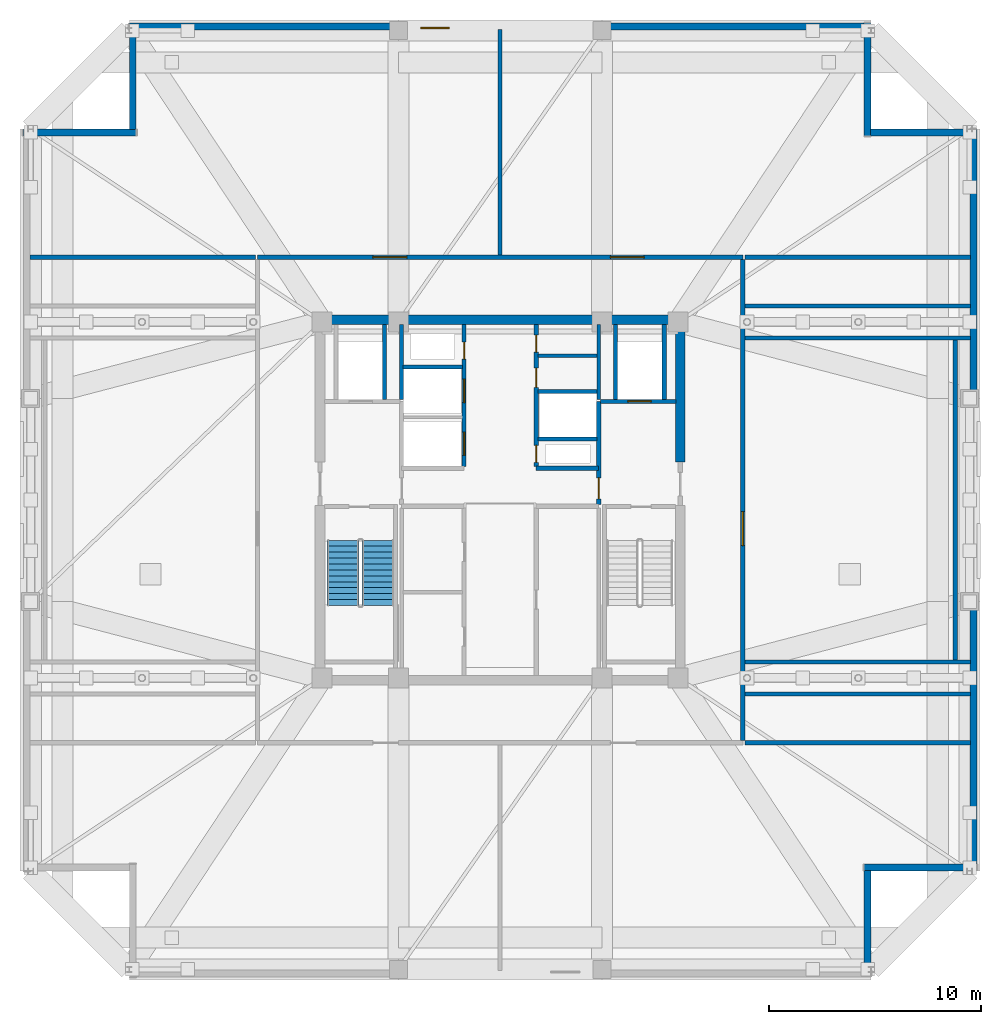
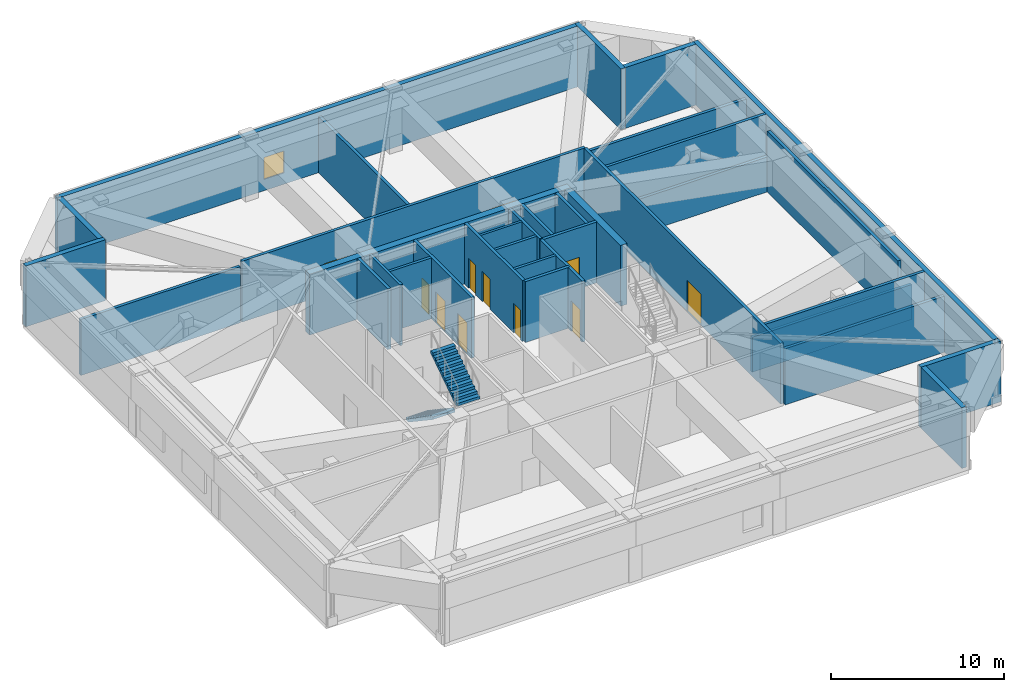
# One storey, part 11 of 17: 35 walls, 11 doors, 2 stair flights, 1 window, 12 openings, 1 element without a shape of its own.
"""IFC4 building model written with IfcOpenShell, lengths in metres."""

from ifc_helpers import new_model, si_unit, direction, frame, frame_2d, origin, place, context, subcontext, project, spatial, polyline, rectangle, outline, extrude, material, layer, layer_set, type_object, element, fill, aggregate, save


model = new_model("IFC4")

# Units and contexts
model_context = context("Model", 3, precision=1e-05, world=origin(), true_north=direction((0.0, 1.0)))
body_context = subcontext(model_context, "Body", "Model", "MODEL_VIEW")
ifc_project = project(units=[si_unit("LENGTHUNIT", "METRE"), si_unit("AREAUNIT", "SQUARE_METRE"), si_unit("VOLUMEUNIT", "CUBIC_METRE"), si_unit("PLANEANGLEUNIT", "RADIAN"), si_unit("MASSUNIT", "GRAM", prefix="KILO")], contexts=[model_context])

# Site, building, storey
site_placement = place(None, origin())
site = spatial("IfcSite", under=ifc_project, at=site_placement, CompositionType="ELEMENT")
building_placement = place(site_placement, origin())
building = spatial("IfcBuilding", under=site, at=building_placement, Name="Cairnveth Concourse Tower", CompositionType="ELEMENT")
storey_placement = place(building_placement, frame((0.0, 0.0, 276.0)))
storey = spatial("IfcBuildingStorey", under=building, at=storey_placement, Name="L76", CompositionType="ELEMENT", Elevation=276.0)

# Walls
ifc_material_1 = material(Name="Gypsum Plasterboard Partition", Category="gypsum")
ifc_layer_1 = layer(ifc_material_1, 0.159912109375)
ifc_layer_set_1 = layer_set([ifc_layer_1], Name="Gypsum Plasterboard Partition")
wall_type_1 = type_object("IfcWallType", Name="ACOUSTIC PARTY WALL 180", PredefinedType="PARTITIONING", material=ifc_layer_set_1)
wall_1_placement = place(storey_placement, frame((53.784912109375, 45.800048828125, 0.0), z_axis=(0.0, 0.0, 1.0), x_axis=(1.0, 0.0, 0.0)))
element("IfcWall", 1, at=wall_1_placement, inside=storey, type_object=wall_type_1, Name="Interior Wall IW-L76-034", PredefinedType="PARTITIONING", context=body_context, shape_type="SweptSolid", body=[
    extrude(rectangle(XDim=2.7900390625, YDim=0.159912109375, at=frame_2d((1.39501953125, 0.0))), origin(), (0.0, 0.0, 1.0), 4.2900390625),
])
ifc_material_2 = material(Name="Concrete N65 (65 MPa)", Category="concrete")
ifc_layer_2 = layer(ifc_material_2, 0.449951171875)
ifc_layer_set_2 = layer_set([ifc_layer_2], Name="Concrete N65 (65 MPa)")
wall_type_2 = type_object("IfcWallType", Name="CORE SHEAR WALL 450", PredefinedType="SHEAR", material=ifc_layer_set_2)
wall_2_placement = place(storey_placement, frame((43.27490234375, 47.5, 0.0), z_axis=(0.0, 0.0, 1.0), x_axis=(1.0, 0.0, 0.0)))
element("IfcWall", 2, at=wall_2_placement, inside=storey, type_object=wall_type_2, Name="Core North Shear Wall L76", PredefinedType="SHEAR", context=body_context, shape_type="SweptSolid", body=[
    extrude(rectangle(XDim=17.4501953125, YDim=0.449951171875, at=frame_2d((8.72509765625, 0.0))), origin(), (0.0, 0.0, 1.0), 4.2900390625),
])
wall_3_placement = place(storey_placement, frame((60.5, 40.800048828125, 0.0), z_axis=(0.0, 0.0, 1.0), x_axis=(0.0, 1.0, 0.0)))
element("IfcWall", 3, at=wall_3_placement, inside=storey, type_object=wall_type_2, Name="Core East Shear Wall N L76", PredefinedType="SHEAR", context=body_context, shape_type="SweptSolid", body=[
    extrude(rectangle(XDim=6.48486328125, YDim=0.449951171875, at=frame_2d((3.242431640625, 0.0))), origin(), (0.0, 0.0, 1.0), 4.2900390625),
])
ifc_material_3 = material(Name="Concrete N50 (50 MPa)", Category="concrete")
ifc_layer_3 = layer(ifc_material_3, 0.179931640625)
ifc_layer_set_3 = layer_set([ifc_layer_3], Name="Concrete N50 (50 MPa)")
wall_type_3 = type_object("IfcWallType", Name="FIRE SHAFT WALL 180", PredefinedType="SOLIDWALL", material=ifc_layer_set_3)
wall_4_placement = place(storey_placement, frame((47.35009765625, 43.735107421875, 0.0), z_axis=(0.0, 0.0, 1.0), x_axis=(0.0, 1.0, 0.0)))
element("IfcWall", 4, at=wall_4_placement, inside=storey, type_object=wall_type_3, Name="Interior Wall IW-L76-028", PredefinedType="SOLIDWALL", context=body_context, shape_type="SweptSolid", body=[
    extrude(rectangle(XDim=3.554931640625, YDim=0.179931640625, at=frame_2d((1.77734375, 0.0))), origin(), (0.0, 0.0, 1.0), 4.2900390625),
])
wall_5_placement = place(storey_placement, frame((47.425048828125, 45.280029296875, 0.0), z_axis=(0.0, 0.0, 1.0), x_axis=(1.0, 0.0, 0.0)))
element("IfcWall", 5, at=wall_5_placement, inside=storey, type_object=wall_type_3, Name="Interior Wall IW-L76-030", PredefinedType="SOLIDWALL", context=body_context, shape_type="SweptSolid", body=[
    extrude(rectangle(XDim=2.7900390625, YDim=0.179931640625, at=frame_2d((1.39501953125, 0.0))), origin(), (0.0, 0.0, 1.0), 4.2900390625),
])
wall_6_placement = place(storey_placement, frame((56.64990234375, 43.735107421875, 0.0), z_axis=(0.0, 0.0, 1.0), x_axis=(0.0, 1.0, 0.0)))
element("IfcWall", 6, at=wall_6_placement, inside=storey, type_object=wall_type_3, Name="Interior Wall IW-L76-031", PredefinedType="SOLIDWALL", context=body_context, shape_type="SweptSolid", body=[
    extrude(rectangle(XDim=3.554931640625, YDim=0.179931640625, at=frame_2d((1.77734375, 0.0))), origin(), (0.0, 0.0, 1.0), 4.2900390625),
])
wall_7_placement = place(storey_placement, frame((53.784912109375, 41.8798828125, 0.0), z_axis=(0.0, 0.0, 1.0), x_axis=(1.0, 0.0, 0.0)))
element("IfcWall", 7, at=wall_7_placement, inside=storey, type_object=wall_type_3, Name="Interior Wall IW-L76-032", PredefinedType="SOLIDWALL", context=body_context, shape_type="SweptSolid", body=[
    extrude(rectangle(XDim=2.780029296875, YDim=0.179931640625, at=frame_2d((1.39013671875, 0.0))), origin(), (0.0, 0.0, 1.0), 4.2900390625),
])
wall_8_placement = place(storey_placement, frame((53.784912109375, 44.1201171875, 0.0), z_axis=(0.0, 0.0, 1.0), x_axis=(1.0, 0.0, 0.0)))
element("IfcWall", 8, at=wall_8_placement, inside=storey, type_object=wall_type_3, Name="Interior Wall IW-L76-033", PredefinedType="SOLIDWALL", context=body_context, shape_type="SweptSolid", body=[
    extrude(rectangle(XDim=2.7900390625, YDim=0.179931640625, at=frame_2d((1.39501953125, 0.0))), origin(), (0.0, 0.0, 1.0), 4.2900390625),
])
ifc_layer_4 = layer(ifc_material_3, 0.199951171875)
ifc_layer_set_4 = layer_set([ifc_layer_4], Name="Concrete N50 (50 MPa)")
wall_type_4 = type_object("IfcWallType", Name="FIRE SHAFT WALL 200", PredefinedType="SOLIDWALL", material=ifc_layer_set_4)
wall_9_placement = place(storey_placement, frame((53.699951171875, 40.5, 0.0), z_axis=(0.0, 0.0, 1.0), x_axis=(1.0, 0.0, 0.0)))
element("IfcWall", 9, at=wall_9_placement, inside=storey, type_object=wall_type_4, Name="Interior Wall IW-L76-010", PredefinedType="SOLIDWALL", context=body_context, shape_type="SweptSolid", body=[
    extrude(rectangle(XDim=2.949951171875, YDim=0.199951171875, at=frame_2d((1.47509765625, 0.0))), origin(), (0.0, 0.0, 1.0), 4.2900390625),
])

# Wall, openings, doors
wall_10_placement = place(storey_placement, frame((50.300048828125, 40.5849609375, 0.0), z_axis=(0.0, 0.0, 1.0), x_axis=(0.0, 1.0, 0.0)))
wall_10 = element("IfcWall", 10, at=wall_10_placement, inside=storey, type_object=wall_type_4, Name="Interior Wall IW-L76-013", PredefinedType="SOLIDWALL", context=body_context, shape_type="SweptSolid", body=[
    extrude(rectangle(XDim=6.705078125, YDim=0.199951171875, at=frame_2d((3.3525390625, 0.0))), origin(), (0.0, 0.0, 1.0), 4.2900390625),
])
opening_1_placement = place(wall_10_placement, frame((0.514892578125, 0.0, 0.0)))
opening_1 = element("IfcOpeningElement", 11, at=opening_1_placement, cuts=wall_10, Name="Opening LD-1", PredefinedType="OPENING", context=body_context, shape_type="SweptSolid", body=[
    extrude(rectangle(XDim=1.10009765625, YDim=2.199951171875, at=frame_2d((0.550048828125, 1.10009765625))), frame((0.0, 0.10986328125, 0.0), z_axis=(0.0, -1.0, 0.0), x_axis=(1.0, 0.0, 0.0)), (0.0, 0.0, 1.0), 0.219970703125),
])
opening_2_placement = place(wall_10_placement, frame((3.014892578125, 0.0, 0.0)))
opening_2 = element("IfcOpeningElement", 12, at=opening_2_placement, cuts=wall_10, Name="Opening LD-1", PredefinedType="OPENING", context=body_context, shape_type="SweptSolid", body=[
    extrude(rectangle(XDim=1.10009765625, YDim=2.199951171875, at=frame_2d((0.550048828125, 1.10009765625))), frame((0.0, 0.10986328125, 0.0), z_axis=(0.0, -1.0, 0.0), x_axis=(1.0, 0.0, 0.0)), (0.0, 0.0, 1.0), 0.219970703125),
])
opening_3_placement = place(wall_10_placement, frame((5.06494140625, 0.0, 0.0)))
opening_3 = element("IfcOpeningElement", 13, at=opening_3_placement, cuts=wall_10, Name="Opening ID24", PredefinedType="OPENING", context=body_context, shape_type="SweptSolid", body=[
    extrude(rectangle(XDim=0.800048828125, YDim=2.080078125, at=frame_2d((0.39990234375, 1.0400390625))), frame((0.0, 0.10986328125, 0.0), z_axis=(0.0, -1.0, 0.0), x_axis=(1.0, 0.0, 0.0)), (0.0, 0.0, 1.0), 0.219970703125),
])
ifc_material_4 = material(Name="Architectural Bronze Anodised Aluminium 6063-T6", Category="aluminium")
door_type_1 = type_object("IfcDoorType", Name="LIFT LANDING DOOR 1100X2200", OperationType="SLIDING_TO_LEFT", PredefinedType="DOOR", material=ifc_material_4)
door_1_placement = place(opening_1_placement, origin())
door_1 = element("IfcDoor", 14, at=door_1_placement, inside=storey, type_object=door_type_1, Name="Lift PL7 Landing Door L76", OperationType="SLIDING_TO_LEFT", OverallHeight=2.199951171875, OverallWidth=1.10009765625, PredefinedType="DOOR", context=body_context, shape_type="SweptSolid", body=[
    extrude(rectangle(XDim=1.10009765625, YDim=2.199951171875, at=frame_2d((0.550048828125, 1.10009765625))), frame((0.0, 0.02490234375, 0.0), z_axis=(0.0, -1.0, 0.0), x_axis=(1.0, 0.0, 0.0)), (0.0, 0.0, 1.0), 0.050048828125),
])
fill(opening_1, door_1)
door_2_placement = place(opening_2_placement, origin())
door_2 = element("IfcDoor", 15, at=door_2_placement, inside=storey, type_object=door_type_1, Name="Lift PL8 Landing Door L76", OperationType="SLIDING_TO_LEFT", OverallHeight=2.199951171875, OverallWidth=1.10009765625, PredefinedType="DOOR", context=body_context, shape_type="SweptSolid", body=[
    extrude(rectangle(XDim=1.10009765625, YDim=2.199951171875, at=frame_2d((0.550048828125, 1.10009765625))), frame((0.0, 0.02490234375, 0.0), z_axis=(0.0, -1.0, 0.0), x_axis=(1.0, 0.0, 0.0)), (0.0, 0.0, 1.0), 0.050048828125),
])
fill(opening_2, door_2)
ifc_material_5 = material(Name="Steel Grade 350", Category="steel")
door_type_2 = type_object("IfcDoorType", Name="RISER ACCESS DOOR 800X2100", OperationType="NOTDEFINED", PredefinedType="DOOR", material=ifc_material_5)
door_3_placement = place(opening_3_placement, origin())
door_3 = element("IfcDoor", 16, at=door_3_placement, inside=storey, type_object=door_type_2, Name="NW Electrical Riser Access Door L76", OperationType="SINGLE_SWING_RIGHT", OverallHeight=2.080078125, OverallWidth=0.800048828125, PredefinedType="DOOR", context=body_context, shape_type="SweptSolid", body=[
    extrude(rectangle(XDim=0.800048828125, YDim=2.080078125, at=frame_2d((0.39990234375, 1.0400390625))), frame((0.0, 0.02490234375, 0.0), z_axis=(0.0, -1.0, 0.0), x_axis=(1.0, 0.0, 0.0)), (0.0, 0.0, 1.0), 0.050048828125),
])
fill(opening_3, door_3)

wall_11_placement = place(storey_placement, frame((53.699951171875, 40.5849609375, 0.0), z_axis=(0.0, 0.0, 1.0), x_axis=(0.0, 1.0, 0.0)))
wall_11 = element("IfcWall", 17, at=wall_11_placement, inside=storey, type_object=wall_type_4, Name="Interior Wall IW-L76-014", PredefinedType="SOLIDWALL", context=body_context, shape_type="SweptSolid", body=[
    extrude(rectangle(XDim=6.705078125, YDim=0.199951171875, at=frame_2d((3.3525390625, 0.0))), origin(), (0.0, 0.0, 1.0), 4.2900390625),
])
opening_4_placement = place(wall_11_placement, frame((0.195068359375, 0.0, 0.0)))
opening_4 = element("IfcOpeningElement", 18, at=opening_4_placement, cuts=wall_11, Name="Opening ID24", PredefinedType="OPENING", context=body_context, shape_type="SweptSolid", body=[
    extrude(rectangle(XDim=0.800048828125, YDim=2.080078125, at=frame_2d((0.39990234375, 1.0400390625))), frame((0.0, 0.10986328125, 0.0), z_axis=(0.0, -1.0, 0.0), x_axis=(1.0, 0.0, 0.0)), (0.0, 0.0, 1.0), 0.219970703125),
])
opening_5_placement = place(wall_11_placement, frame((3.735107421875, 0.0, 0.0)))
opening_5 = element("IfcOpeningElement", 19, at=opening_5_placement, cuts=wall_11, Name="Opening ID26", PredefinedType="OPENING", context=body_context, shape_type="SweptSolid", body=[
    extrude(rectangle(XDim=0.89990234375, YDim=2.1201171875, at=frame_2d((0.449951171875, 1.06005859375))), frame((0.0, 0.10986328125, 0.0), z_axis=(0.0, -1.0, 0.0), x_axis=(1.0, 0.0, 0.0)), (0.0, 0.0, 1.0), 0.219970703125),
])
opening_6_placement = place(wall_11_placement, frame((5.39501953125, 0.0, 0.0)))
opening_6 = element("IfcOpeningElement", 20, at=opening_6_placement, cuts=wall_11, Name="Opening ID23", PredefinedType="OPENING", context=body_context, shape_type="SweptSolid", body=[
    extrude(rectangle(XDim=0.800048828125, YDim=2.10009765625, at=frame_2d((0.39990234375, 1.050048828125))), frame((0.0, 0.10986328125, 0.0), z_axis=(0.0, -1.0, 0.0), x_axis=(1.0, 0.0, 0.0)), (0.0, 0.0, 1.0), 0.219970703125),
])
door_type_3 = type_object("IfcDoorType", Name="CORE SERVICE DOOR 800X2100", OperationType="NOTDEFINED", PredefinedType="DOOR", material=ifc_material_5)
door_4_placement = place(opening_6_placement, origin())
door_4 = element("IfcDoor", 21, at=door_4_placement, inside=storey, type_object=door_type_3, Name="Core NE Cleaners Door L76", OperationType="SINGLE_SWING_LEFT", OverallHeight=2.10009765625, OverallWidth=0.800048828125, PredefinedType="DOOR", context=body_context, shape_type="SweptSolid", body=[
    extrude(rectangle(XDim=0.800048828125, YDim=2.10009765625, at=frame_2d((0.39990234375, 1.050048828125))), frame((0.0, 0.02490234375, 0.0), z_axis=(0.0, -1.0, 0.0), x_axis=(1.0, 0.0, 0.0)), (0.0, 0.0, 1.0), 0.050048828125),
])
fill(opening_6, door_4)
door_type_4 = type_object("IfcDoorType", Name="CORE TOILET FIRE DOOR 900X2120", OperationType="NOTDEFINED", PredefinedType="DOOR", material=ifc_material_5)
door_5_placement = place(opening_5_placement, origin())
door_5 = element("IfcDoor", 22, at=door_5_placement, inside=storey, type_object=door_type_4, Name="Core NE Unisex WC Door L76", OperationType="SINGLE_SWING_RIGHT", OverallHeight=2.1201171875, OverallWidth=0.89990234375, PredefinedType="DOOR", context=body_context, shape_type="SweptSolid", body=[
    extrude(rectangle(XDim=0.89990234375, YDim=2.1201171875, at=frame_2d((0.449951171875, 1.06005859375))), frame((0.0, 0.02490234375, 0.0), z_axis=(0.0, -1.0, 0.0), x_axis=(1.0, 0.0, 0.0)), (0.0, 0.0, 1.0), 0.050048828125),
])
fill(opening_5, door_5)
door_6_placement = place(opening_4_placement, origin())
door_6 = element("IfcDoor", 23, at=door_6_placement, inside=storey, type_object=door_type_2, Name="Hydraulic Riser Door L76", OperationType="SINGLE_SWING_LEFT", OverallHeight=2.080078125, OverallWidth=0.800048828125, PredefinedType="DOOR", context=body_context, shape_type="SweptSolid", body=[
    extrude(rectangle(XDim=0.800048828125, YDim=2.080078125, at=frame_2d((0.39990234375, 1.0400390625))), frame((0.0, 0.02490234375, 0.0), z_axis=(0.0, -1.0, 0.0), x_axis=(1.0, 0.0, 0.0)), (0.0, 0.0, 1.0), 0.050048828125),
])
fill(opening_4, door_6)

# Wall
wall_12_placement = place(storey_placement, frame((46.550048828125, 43.735107421875, 0.0), z_axis=(0.0, 0.0, 1.0), x_axis=(0.0, 1.0, 0.0)))
element("IfcWall", 24, at=wall_12_placement, inside=storey, type_object=wall_type_4, Name="Interior Wall IW-L76-018", PredefinedType="SOLIDWALL", context=body_context, shape_type="SweptSolid", body=[
    extrude(rectangle(XDim=3.554931640625, YDim=0.199951171875, at=frame_2d((1.77734375, 0.0))), origin(), (0.0, 0.0, 1.0), 4.2900390625),
])

# Wall, opening, door
wall_13_placement = place(storey_placement, frame((56.64990234375, 38.784912109375, 0.0), z_axis=(0.0, 0.0, 1.0), x_axis=(0.0, 1.0, 0.0)))
wall_13 = element("IfcWall", 25, at=wall_13_placement, inside=storey, type_object=wall_type_4, Name="Interior Wall IW-L76-021", PredefinedType="SOLIDWALL", context=body_context, shape_type="SweptSolid", body=[
    extrude(rectangle(XDim=4.864990234375, YDim=0.199951171875, at=frame_2d((2.4326171875, 0.0))), origin(), (0.0, 0.0, 1.0), 4.2900390625),
])
opening_7_placement = place(wall_13_placement, frame((0.264892578125, 0.0, 0.0)))
opening_7 = element("IfcOpeningElement", 26, at=opening_7_placement, cuts=wall_13, Name="Opening ID07", PredefinedType="OPENING", context=body_context, shape_type="SweptSolid", body=[
    extrude(rectangle(XDim=1.0, YDim=2.14990234375, at=frame_2d((0.5, 1.074951171875))), frame((0.0, 0.10986328125, 0.0), z_axis=(0.0, -1.0, 0.0), x_axis=(1.0, 0.0, 0.0)), (0.0, 0.0, 1.0), 0.219970703125),
])
door_type_5 = type_object("IfcDoorType", Name="FIRE CORRIDOR DOOR 1000X2150", OperationType="NOTDEFINED", PredefinedType="DOOR", material=ifc_material_5)
door_7_placement = place(opening_7_placement, origin())
door_7 = element("IfcDoor", 27, at=door_7_placement, inside=storey, type_object=door_type_5, Name="FF Lobby East to Lift Lobby Door L76", OperationType="SINGLE_SWING_LEFT", OverallHeight=2.14990234375, OverallWidth=1.0, PredefinedType="DOOR", context=body_context, shape_type="SweptSolid", body=[
    extrude(rectangle(XDim=1.0, YDim=2.14990234375, at=frame_2d((0.5, 1.074951171875))), frame((0.0, 0.02490234375, 0.0), z_axis=(0.0, -1.0, 0.0), x_axis=(1.0, 0.0, 0.0)), (0.0, 0.0, 1.0), 0.050048828125),
])
fill(opening_7, door_7)

wall_14_placement = place(storey_placement, frame((56.735107421875, 43.64990234375, 0.0), z_axis=(0.0, 0.0, 1.0), x_axis=(1.0, 0.0, 0.0)))
wall_14 = element("IfcWall", 28, at=wall_14_placement, inside=storey, type_object=wall_type_4, Name="Interior Wall IW-L76-022", PredefinedType="SOLIDWALL", context=body_context, shape_type="SweptSolid", body=[
    extrude(rectangle(XDim=3.554931640625, YDim=0.199951171875, at=frame_2d((1.77734375, 0.0))), origin(), (0.0, 0.0, 1.0), 4.2900390625),
])
opening_8_placement = place(wall_14_placement, frame((1.294921875, 0.0, 0.0)))
opening_8 = element("IfcOpeningElement", 29, at=opening_8_placement, cuts=wall_14, Name="Opening LD-1", PredefinedType="OPENING", context=body_context, shape_type="SweptSolid", body=[
    extrude(rectangle(XDim=1.10009765625, YDim=2.199951171875, at=frame_2d((0.550048828125, 1.10009765625))), frame((0.0, 0.10986328125, 0.0), z_axis=(0.0, -1.0, 0.0), x_axis=(1.0, 0.0, 0.0)), (0.0, 0.0, 1.0), 0.219970703125),
])
door_8_placement = place(opening_8_placement, origin())
door_8 = element("IfcDoor", 30, at=door_8_placement, inside=storey, type_object=door_type_1, Name="Lift FFL2 Landing Door L76", OperationType="SLIDING_TO_LEFT", OverallHeight=2.199951171875, OverallWidth=1.10009765625, PredefinedType="DOOR", context=body_context, shape_type="SweptSolid", body=[
    extrude(rectangle(XDim=1.10009765625, YDim=2.199951171875, at=frame_2d((0.550048828125, 1.10009765625))), frame((0.0, 0.02490234375, 0.0), z_axis=(0.0, -1.0, 0.0), x_axis=(1.0, 0.0, 0.0)), (0.0, 0.0, 1.0), 0.050048828125),
])
fill(opening_8, door_8)

# Walls
for number, where, z_axis, x_axis, name in (
    (31, (57.449951171875, 43.735107421875, 0.0), (0.0, 0.0, 1.0), (0.0, 1.0, 0.0), "Interior Wall IW-L76-023"),
    (32, (59.75, 43.735107421875, 0.0), (0.0, 0.0, 1.0), (0.0, 1.0, 0.0), "Interior Wall IW-L76-024"),
):
    element("IfcWall", number, at=place(storey_placement, frame(where, z_axis=z_axis, x_axis=x_axis)), inside=storey, type_object=wall_type_4, Name=name, PredefinedType="SOLIDWALL", context=body_context, shape_type="SweptSolid", body=[
        extrude(rectangle(XDim=3.554931640625, YDim=0.199951171875, at=frame_2d((1.77734375, 0.0))), origin(), (0.0, 0.0, 1.0), 4.2900390625),
    ])

# Wall, openings, doors
wall_15_placement = place(storey_placement, frame((40.550048828125, 50.449951171875, 0.0), z_axis=(0.0, 0.0, 1.0), x_axis=(1.0, 0.0, 0.0)))
wall_15 = element("IfcWall", 33, at=wall_15_placement, inside=storey, type_object=wall_type_4, Name="Interior Wall IW-L76-036", PredefinedType="SOLIDWALL", context=body_context, shape_type="SweptSolid", body=[
    extrude(rectangle(XDim=22.89990234375, YDim=0.199951171875, at=frame_2d((11.449951171875, 0.0))), origin(), (0.0, 0.0, 1.0), 4.2900390625),
])
opening_9_placement = place(wall_15_placement, frame((5.449951171875, 0.0, 0.0)))
opening_9 = element("IfcOpeningElement", 34, at=opening_9_placement, cuts=wall_15, Name="Opening ID02", PredefinedType="OPENING", context=body_context, shape_type="SweptSolid", body=[
    extrude(rectangle(XDim=1.60009765625, YDim=2.199951171875, at=frame_2d((0.800048828125, 1.10009765625))), frame((0.0, 0.10986328125, 0.0), z_axis=(0.0, -1.0, 0.0), x_axis=(1.0, 0.0, 0.0)), (0.0, 0.0, 1.0), 0.219970703125),
])
opening_10_placement = place(wall_15_placement, frame((16.64990234375, 0.0, 0.0)))
opening_10 = element("IfcOpeningElement", 35, at=opening_10_placement, cuts=wall_15, Name="Opening ID02", PredefinedType="OPENING", context=body_context, shape_type="SweptSolid", body=[
    extrude(rectangle(XDim=1.60009765625, YDim=2.199951171875, at=frame_2d((0.800048828125, 1.10009765625))), frame((0.0, 0.10986328125, 0.0), z_axis=(0.0, -1.0, 0.0), x_axis=(1.0, 0.0, 0.0)), (0.0, 0.0, 1.0), 0.219970703125),
])
door_type_6 = type_object("IfcDoorType", Name="PLANT DOUBLE DOOR 1600X2200", OperationType="DOUBLE_DOOR_SINGLE_SWING", PredefinedType="DOOR", material=ifc_material_5)
door_9_placement = place(opening_9_placement, origin())
door_9 = element("IfcDoor", 36, at=door_9_placement, inside=storey, type_object=door_type_6, Name="Interior Door DR-L76-018", OperationType="DOUBLE_DOOR_SINGLE_SWING", OverallHeight=2.199951171875, OverallWidth=1.60009765625, PredefinedType="DOOR", context=body_context, shape_type="SweptSolid", body=[
    extrude(rectangle(XDim=1.60009765625, YDim=2.199951171875, at=frame_2d((0.800048828125, 1.10009765625))), frame((0.0, 0.02490234375, 0.0), z_axis=(0.0, -1.0, 0.0), x_axis=(1.0, 0.0, 0.0)), (0.0, 0.0, 1.0), 0.050048828125),
])
fill(opening_9, door_9)
door_10_placement = place(opening_10_placement, origin())
door_10 = element("IfcDoor", 37, at=door_10_placement, inside=storey, type_object=door_type_6, Name="Interior Door DR-L76-019", OperationType="DOUBLE_DOOR_SINGLE_SWING", OverallHeight=2.199951171875, OverallWidth=1.60009765625, PredefinedType="DOOR", context=body_context, shape_type="SweptSolid", body=[
    extrude(rectangle(XDim=1.60009765625, YDim=2.199951171875, at=frame_2d((0.800048828125, 1.10009765625))), frame((0.0, 0.02490234375, 0.0), z_axis=(0.0, -1.0, 0.0), x_axis=(1.0, 0.0, 0.0)), (0.0, 0.0, 1.0), 0.050048828125),
])
fill(opening_10, door_10)

# Wall, opening, door
wall_16_placement = place(storey_placement, frame((63.449951171875, 27.64990234375, 0.0), z_axis=(0.0, 0.0, 1.0), x_axis=(0.0, 1.0, 0.0)))
wall_16 = element("IfcWall", 38, at=wall_16_placement, inside=storey, type_object=wall_type_4, Name="Interior Wall IW-L76-038", PredefinedType="SOLIDWALL", context=body_context, shape_type="SweptSolid", body=[
    extrude(rectangle(XDim=22.7001953125, YDim=0.199951171875, at=frame_2d((11.35009765625, 0.0))), origin(), (0.0, 0.0, 1.0), 4.2900390625),
])
opening_11_placement = place(wall_16_placement, frame((9.199951171875, 0.0, 0.0)))
opening_11 = element("IfcOpeningElement", 39, at=opening_11_placement, cuts=wall_16, Name="Opening ID02", PredefinedType="OPENING", context=body_context, shape_type="SweptSolid", body=[
    extrude(rectangle(XDim=1.60009765625, YDim=2.199951171875, at=frame_2d((0.800048828125, 1.10009765625))), frame((0.0, 0.10986328125, 0.0), z_axis=(0.0, -1.0, 0.0), x_axis=(1.0, 0.0, 0.0)), (0.0, 0.0, 1.0), 0.219970703125),
])
door_11_placement = place(opening_11_placement, origin())
door_11 = element("IfcDoor", 40, at=door_11_placement, inside=storey, type_object=door_type_6, Name="Interior Door DR-L76-021", OperationType="DOUBLE_DOOR_SINGLE_SWING", OverallHeight=2.199951171875, OverallWidth=1.60009765625, PredefinedType="DOOR", context=body_context, shape_type="SweptSolid", body=[
    extrude(rectangle(XDim=1.60009765625, YDim=2.199951171875, at=frame_2d((0.800048828125, 1.10009765625))), frame((0.0, 0.02490234375, 0.0), z_axis=(0.0, -1.0, 0.0), x_axis=(1.0, 0.0, 0.0)), (0.0, 0.0, 1.0), 0.050048828125),
])
fill(opening_11, door_11)

# Walls
wall_17_placement = place(storey_placement, frame((63.550048828125, 29.85009765625, 0.0), z_axis=(0.0, 0.0, 1.0), x_axis=(1.0, 0.0, 0.0)))
element("IfcWall", 41, at=wall_17_placement, inside=storey, type_object=wall_type_4, Name="Interior Wall IW-L76-040", PredefinedType="SOLIDWALL", context=body_context, shape_type="SweptSolid", body=[
    extrude(rectangle(XDim=10.64501953125, YDim=0.199951171875, at=frame_2d((5.322509765625, 0.0))), origin(), (0.0, 0.0, 1.0), 4.2900390625),
])
for number, where, z_axis, x_axis, name in (
    (42, (63.550048828125, 31.35009765625, 0.0), (0.0, 0.0, 1.0), (1.0, 0.0, 0.0), "Interior Wall IW-L76-042"),
    (43, (63.550048828125, 46.64990234375, 0.0), (0.0, 0.0, 1.0), (1.0, 0.0, 0.0), "Interior Wall IW-L76-044"),
):
    element("IfcWall", number, at=place(storey_placement, frame(where, z_axis=z_axis, x_axis=x_axis)), inside=storey, type_object=wall_type_4, Name=name, PredefinedType="SOLIDWALL", context=body_context, shape_type="SweptSolid", body=[
        extrude(rectangle(XDim=10.64501953125, YDim=0.199951171875, at=frame_2d((5.322509765625, 0.0))), origin(), (0.0, 0.0, 1.0), 2.465087890625),
    ])
wall_18_placement = place(storey_placement, frame((63.550048828125, 48.14990234375, 0.0), z_axis=(0.0, 0.0, 1.0), x_axis=(1.0, 0.0, 0.0)))
element("IfcWall", 44, at=wall_18_placement, inside=storey, type_object=wall_type_4, Name="Interior Wall IW-L76-046", PredefinedType="SOLIDWALL", context=body_context, shape_type="SweptSolid", body=[
    extrude(rectangle(XDim=10.64501953125, YDim=0.199951171875, at=frame_2d((5.322509765625, 0.0))), origin(), (0.0, 0.0, 1.0), 4.2900390625),
])
wall_19_placement = place(storey_placement, frame((73.47998046875, 31.449951171875, 0.0), z_axis=(0.0, 0.0, 1.0), x_axis=(0.0, 1.0, 0.0)))
element("IfcWall", 45, at=wall_19_placement, inside=storey, type_object=wall_type_4, Name="Interior Wall IW-L76-048", PredefinedType="SOLIDWALL", context=body_context, shape_type="SweptSolid", body=[
    extrude(rectangle(XDim=15.10009765625, YDim=0.199951171875, at=frame_2d((7.550048828125, 0.0))), origin(), (0.0, 0.0, 1.0), 4.2900390625),
])
for number, where, z_axis, x_axis, name in (
    (46, (63.550048828125, 27.550048828125, 0.0), (0.0, 0.0, 1.0), (1.0, 0.0, 0.0), "Interior Wall IW-L76-051"),
    (47, (52.0, 50.550048828125, 0.0), (0.0, 0.0, 1.0), (0.0, 1.0, 0.0), "Interior Wall IW-L76-052"),
    (48, (29.804931640625, 50.449951171875, 0.0), (0.0, 0.0, 1.0), (1.0, 0.0, 0.0), "Interior Wall IW-L76-053"),
    (49, (63.550048828125, 50.449951171875, 0.0), (0.0, 0.0, 1.0), (1.0, 0.0, 0.0), "Interior Wall IW-L76-054"),
):
    element("IfcWall", number, at=place(storey_placement, frame(where, z_axis=z_axis, x_axis=x_axis)), inside=storey, type_object=wall_type_4, Name=name, PredefinedType="SOLIDWALL", context=body_context, shape_type="SweptSolid", body=[
        extrude(rectangle(XDim=10.64501953125, YDim=0.199951171875, at=frame_2d((5.322509765625, 0.0))), origin(), (0.0, 0.0, 1.0), 3.9580078125),
    ])
ifc_material_6 = material(Name="Melbourne Buff Fired Clay Brick Masonry", Category="masonry")
ifc_layer_5 = layer(ifc_material_6, 0.320068359375)
ifc_layer_set_5 = layer_set([ifc_layer_5], Name="Melbourne Buff Fired Clay Brick Masonry")
wall_type_5 = type_object("IfcWallType", Name="ZONE 3 BRICK PIER SPANDREL WALL 320", PredefinedType="SOLIDWALL", material=ifc_layer_set_5)
wall_20_placement = place(storey_placement, frame((29.5, 56.340087890625, 0.0), z_axis=(0.0, 0.0, 1.0), x_axis=(1.0, 0.0, 0.0)))
element("IfcWall", 50, at=wall_20_placement, inside=storey, type_object=wall_type_5, Name="Exterior Wall EW-L76-S03", PredefinedType="SOLIDWALL", context=body_context, shape_type="SweptSolid", body=[
    extrude(rectangle(XDim=5.320068359375, YDim=0.320068359375, at=frame_2d((2.66015625, 0.0))), origin(), (0.0, 0.0, 1.0), 4.2900390625),
])
wall_21_placement = place(storey_placement, frame((34.659912109375, 56.47802734375, 0.0), z_axis=(0.0, 0.0, 1.0), x_axis=(0.0, 1.0, 0.0)))
element("IfcWall", 51, at=wall_21_placement, inside=storey, type_object=wall_type_5, Name="Exterior Wall EW-L76-S04", PredefinedType="SOLIDWALL", context=body_context, shape_type="SweptSolid", body=[
    extrude(rectangle(XDim=4.723876953125, YDim=0.320068359375, at=frame_2d((2.36181640625, 0.0))), origin(), (0.0, 0.0, 1.0), 4.2900390625),
])

# Wall, opening, window
wall_22_placement = place(storey_placement, frame((34.5, 61.340087890625, 0.0), z_axis=(0.0, 0.0, 1.0), x_axis=(1.0, 0.0, 0.0)))
wall_22 = element("IfcWall", 52, at=wall_22_placement, inside=storey, type_object=wall_type_5, Name="Exterior Wall EW-L76-S05", PredefinedType="SOLIDWALL", context=body_context, shape_type="SweptSolid", body=[
    extrude(rectangle(XDim=34.701904296875, YDim=0.320068359375, at=frame_2d((17.35107421875, 0.0))), origin(), (0.0, 0.0, 1.0), 4.2900390625),
])
opening_12_placement = place(wall_22_placement, frame((13.7509765625, 0.0, 0.800048828125)))
opening_12 = element("IfcOpeningElement", 53, at=opening_12_placement, cuts=wall_22, Name="Opening W07", PredefinedType="OPENING", context=body_context, shape_type="SweptSolid", body=[
    extrude(rectangle(XDim=1.35009765625, YDim=1.5400390625, at=frame_2d((0.675048828125, 0.77001953125))), frame((0.0, 0.169921875, 0.0), z_axis=(0.0, -1.0, 0.0), x_axis=(1.0, 0.0, 0.0)), (0.0, 0.0, 1.0), 0.340087890625),
])
ifc_material_7 = material(Name="Double Glazed Low-E Clear Glass", Category="glass")
window_type = type_object("IfcWindowType", Name="DEEP-SET APARTMENT WINDOW 1550X1800", PartitioningType="DOUBLE_PANEL_VERTICAL", PredefinedType="WINDOW", material=ifc_material_7)
window_placement = place(opening_12_placement, origin())
window = element("IfcWindow", 54, at=window_placement, inside=storey, type_object=window_type, Name="WIN-L76-REF-S5", OverallHeight=1.5400390625, OverallWidth=1.35009765625, PartitioningType="SINGLE_PANEL", PredefinedType="WINDOW", context=body_context, shape_type="SweptSolid", body=[
    extrude(rectangle(XDim=1.35009765625, YDim=1.5400390625, at=frame_2d((0.675048828125, 0.77001953125))), frame((0.0, -0.0400390625, 0.0), z_axis=(0.0, -1.0, 0.0), x_axis=(1.0, 0.0, 0.0)), (0.0, 0.0, 1.0), 0.06005859375),
])
fill(opening_12, window)

# Walls
wall_23_placement = place(storey_placement, frame((69.340087890625, 61.5, 0.0), z_axis=(0.0, 0.0, 1.0), x_axis=(0.0, -1.0, 0.0)))
element("IfcWall", 55, at=wall_23_placement, inside=storey, type_object=wall_type_5, Name="Exterior Wall EW-L76-S06", PredefinedType="SOLIDWALL", context=body_context, shape_type="SweptSolid", body=[
    extrude(rectangle(XDim=5.320068359375, YDim=0.320068359375, at=frame_2d((2.66015625, 0.0))), origin(), (0.0, 0.0, 1.0), 4.2900390625),
])
wall_24_placement = place(storey_placement, frame((69.47802734375, 56.340087890625, 0.0), z_axis=(0.0, 0.0, 1.0), x_axis=(1.0, 0.0, 0.0)))
element("IfcWall", 56, at=wall_24_placement, inside=storey, type_object=wall_type_5, Name="Exterior Wall EW-L76-S07", PredefinedType="SOLIDWALL", context=body_context, shape_type="SweptSolid", body=[
    extrude(rectangle(XDim=4.723876953125, YDim=0.320068359375, at=frame_2d((2.36181640625, 0.0))), origin(), (0.0, 0.0, 1.0), 4.2900390625),
])
wall_25_placement = place(storey_placement, frame((74.340087890625, 56.5, 0.0), z_axis=(0.0, 0.0, 1.0), x_axis=(0.0, -1.0, 0.0)))
element("IfcWall", 57, at=wall_25_placement, inside=storey, type_object=wall_type_5, Name="Exterior Wall EW-L76-S08", PredefinedType="SOLIDWALL", context=body_context, shape_type="SweptSolid", body=[
    extrude(rectangle(XDim=34.701904296875, YDim=0.320068359375, at=frame_2d((17.35107421875, 0.0))), origin(), (0.0, 0.0, 1.0), 4.2900390625),
])
wall_26_placement = place(storey_placement, frame((74.5, 21.659912109375, 0.0), z_axis=(0.0, 0.0, 1.0), x_axis=(-1.0, 0.0, 0.0)))
element("IfcWall", 58, at=wall_26_placement, inside=storey, type_object=wall_type_5, Name="Exterior Wall EW-L76-S09", PredefinedType="SOLIDWALL", context=body_context, shape_type="SweptSolid", body=[
    extrude(rectangle(XDim=5.320068359375, YDim=0.320068359375, at=frame_2d((2.66015625, 0.0))), origin(), (0.0, 0.0, 1.0), 4.2900390625),
])
wall_27_placement = place(storey_placement, frame((69.340087890625, 21.52197265625, 0.0), z_axis=(0.0, 0.0, 1.0), x_axis=(0.0, -1.0, 0.0)))
element("IfcWall", 59, at=wall_27_placement, inside=storey, type_object=wall_type_5, Name="Exterior Wall EW-L76-S10", PredefinedType="SOLIDWALL", context=body_context, shape_type="SweptSolid", body=[
    extrude(rectangle(XDim=4.723876953125, YDim=0.320068359375, at=frame_2d((2.36181640625, 0.0))), origin(), (0.0, 0.0, 1.0), 4.2900390625),
])

# Stair, stair flights
ifc_material_8 = material(Name="Precast concrete N50 (50 MPa)", Category="concrete")
stair_type = type_object("IfcStairType", Name="CORE DOG-LEG FIRE STAIR 1500", PredefinedType="HALF_TURN_STAIR", material=ifc_material_8)
stair_placement = place(storey_placement, origin())
stair = element("IfcStair", 60, at=stair_placement, inside=storey, type_object=stair_type, Name="L76 Fire-Isolated Stair ST-1", PredefinedType="HALF_TURN_STAIR")
stair_flight_type = type_object("IfcStairFlightType", Name="PRECAST CONCRETE STAIR FLIGHT 1500", PredefinedType="STRAIGHT", material=ifc_material_8)
stair_flight_1_placement = place(storey_placement, frame((44.590087890625, 37.10009765625, 0.0), z_axis=(0.0, 0.0, 1.0), x_axis=(0.0, -1.0, 0.0)))
stair_flight_1 = element("IfcStairFlight", 61, at=stair_flight_1_placement, type_object=stair_flight_type, Name="ST-1 flight 1", NumberOfRisers=12, NumberOfTreads=11, PredefinedType="STRAIGHT", RiserHeight=0.1875, TreadLength=0.28, context=body_context, shape_type="SweptSolid", body=[
    extrude(outline(polyline([(0.0, 0.0), (0.0, 0.1875), (0.280029296875, 0.1875), (0.280029296875, 0.375), (0.56005859375, 0.375), (0.56005859375, 0.5625), (0.840087890625, 0.5625), (0.840087890625, 0.75), (1.1201171875, 0.75), (1.1201171875, 0.9375), (1.39990234375, 0.9375), (1.39990234375, 1.125), (1.679931640625, 1.125), (1.679931640625, 1.3125), (1.9599609375, 1.3125), (1.9599609375, 1.5), (2.239990234375, 1.5), (2.239990234375, 1.6875), (2.52001953125, 1.6875), (2.52001953125, 1.875), (2.800048828125, 1.875), (2.800048828125, 2.0625), (3.080078125, 2.0625), (3.080078125, 2.25), (3.080078125, 1.882080078125), (0.26953125, 0.0), (0.0, 0.0)])), frame((0.0, 0.75, 0.0), z_axis=(0.0, -1.0, 0.0), x_axis=(1.0, 0.0, 0.0)), (0.0, 0.0, 1.0), 1.5),
])
stair_flight_2_placement = place(storey_placement, frame((46.22998046875, 34.02001953125, 2.25), z_axis=(0.0, 0.0, 1.0), x_axis=(0.0, 1.0, 0.0)))
stair_flight_2 = element("IfcStairFlight", 62, at=stair_flight_2_placement, type_object=stair_flight_type, Name="ST-1 flight 2", NumberOfRisers=12, NumberOfTreads=11, PredefinedType="STRAIGHT", RiserHeight=0.1875, TreadLength=0.28, context=body_context, shape_type="SweptSolid", body=[
    extrude(outline(polyline([(0.0, 0.0), (0.0, 0.1875), (0.280029296875, 0.1875), (0.280029296875, 0.375), (0.56005859375, 0.375), (0.56005859375, 0.5625), (0.840087890625, 0.5625), (0.840087890625, 0.75), (1.1201171875, 0.75), (1.1201171875, 0.9375), (1.39990234375, 0.9375), (1.39990234375, 1.125), (1.679931640625, 1.125), (1.679931640625, 1.3125), (1.9599609375, 1.3125), (1.9599609375, 1.5), (2.239990234375, 1.5), (2.239990234375, 1.6875), (2.52001953125, 1.6875), (2.52001953125, 1.875), (2.800048828125, 1.875), (2.800048828125, 2.0625), (3.080078125, 2.0625), (3.080078125, 2.25), (3.080078125, 1.882080078125), (0.26953125, 0.0), (0.0, 0.0)])), frame((0.0, 0.75, 0.0), z_axis=(0.0, -1.0, 0.0), x_axis=(1.0, 0.0, 0.0)), (0.0, 0.0, 1.0), 1.5),
])
aggregate(stair, [stair_flight_1, stair_flight_2])

save(model, "model.ifc")
